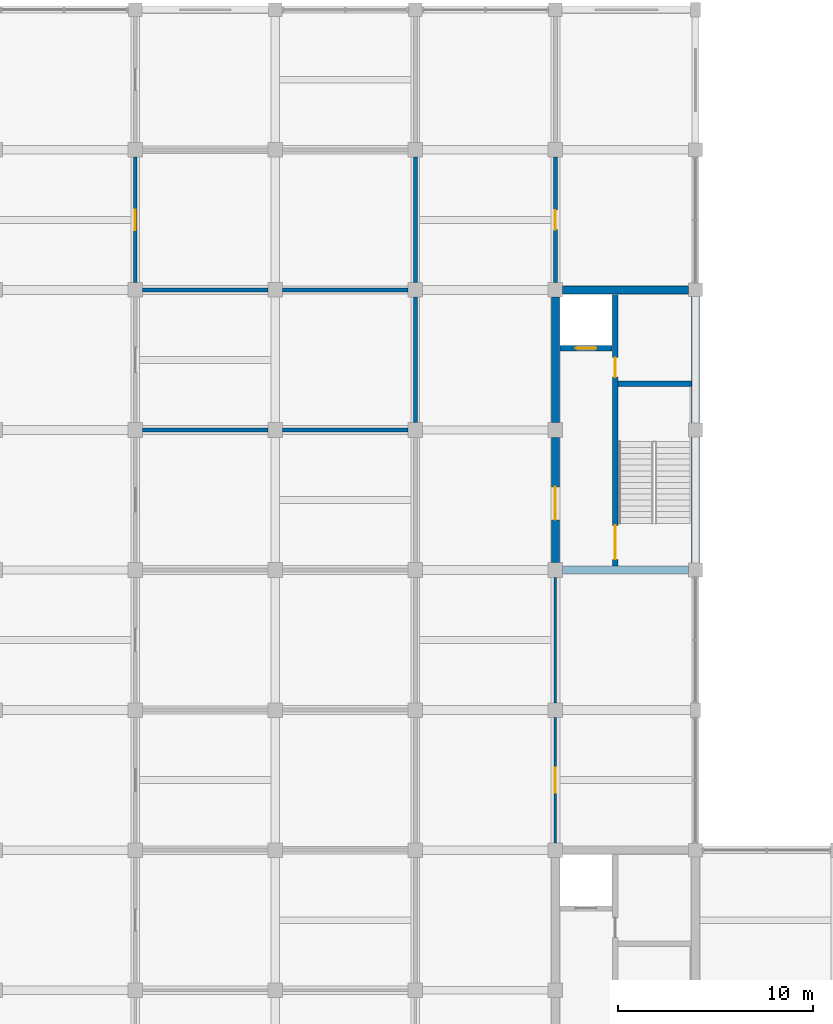
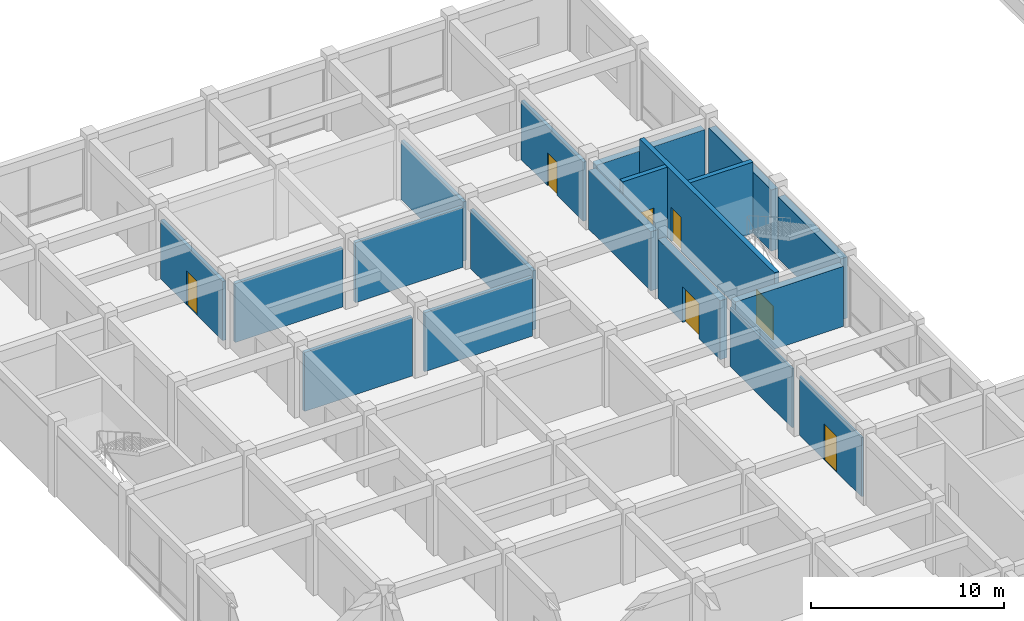
# One storey, part 22 of 30: 19 walls, 7 doors, 7 openings.
"""IFC4 building model written with IfcOpenShell, lengths in metres."""

import ifcopenshell
import ifcopenshell.guid

model = None  # the IFC model being written
_history = None  # IfcOwnerHistory: only IFC2X3 demands one
_inside = {}  # id of a spatial element -> (the spatial element, [elements in it])
_under = {}  # id of a project, library or spatial element -> (it, [spatial elements below it])
_declared = {}  # id of a project -> (the project, [libraries it declares])
_typed = {}  # id of a type object -> (the type object, [elements of that type])
_made_of = {}  # id of a material, layer set ... -> (it, [elements and type objects made of it])


def new_model(schema):
    """Start an empty IFC model of exactly this schema.

    Asked for "IFC4X3", IfcOpenShell would pick the latest addendum, in which some entities
    have other attributes; the version numbers below select the first issue.
    IFC2X3 requires an IfcOwnerHistory on every rooted entity: one is made here for all.
    """
    global model, _history
    if schema == "IFC4X3":
        model = ifcopenshell.file(schema_version=(4, 3, 0, 0))
    else:
        model = ifcopenshell.file(schema=schema)
    _inside.clear()
    _under.clear()
    _declared.clear()
    _typed.clear()
    _made_of.clear()
    _history = None
    if model.schema == "IFC2X3":
        org = make("IfcOrganization", Name="unknown")
        user = make(
            "IfcPersonAndOrganization",
            ThePerson=make("IfcPerson", FamilyName="unknown"),
            TheOrganization=org,
        )
        app = make(
            "IfcApplication",
            ApplicationDeveloper=org,
            Version="unknown",
            ApplicationFullName="unknown",
            ApplicationIdentifier="unknown",
        )
        _history = make(
            "IfcOwnerHistory",
            OwningUser=user,
            OwningApplication=app,
            ChangeAction="ADDED",
            CreationDate=0,
        )
    return model


def make(cls, **values):
    """One entity of the class cls with the attributes given. An attribute that is None is left unset."""
    return model.create_entity(
        cls, **{name: value for name, value in values.items() if value is not None}
    )


def rooted(cls, **values):
    """An entity with a GlobalId (a new one), such as an element, a storey or a relation."""
    return make(cls, GlobalId=ifcopenshell.guid.new(), OwnerHistory=_history, **values)


def si_unit(unit_type, name, prefix=None):
    """IfcSIUnit, for example si_unit("LENGTHUNIT", "METRE", prefix="MILLI")."""
    return make("IfcSIUnit", UnitType=unit_type, Prefix=prefix, Name=name)


def assignment(units):
    """IfcUnitAssignment: the units of a project."""
    return None if units is None else make("IfcUnitAssignment", Units=units)


def point(xyz):
    """IfcCartesianPoint."""
    return None if xyz is None else make("IfcCartesianPoint", Coordinates=xyz)


def direction(xyz):
    """IfcDirection."""
    return None if xyz is None else make("IfcDirection", DirectionRatios=xyz)


def frame(location, z_axis=None, x_axis=None):
    """IfcAxis2Placement3D, a coordinate frame: its origin and axes. An axis left out is left unset."""
    return make(
        "IfcAxis2Placement3D",
        Location=point(location),
        Axis=direction(z_axis),
        RefDirection=direction(x_axis),
    )


def frame_2d(location, x_axis=None):
    """IfcAxis2Placement2D, a coordinate frame in the plane: its origin and x axis."""
    return make(
        "IfcAxis2Placement2D", Location=point(location), RefDirection=direction(x_axis)
    )


def origin():
    """The frame at (0, 0, 0) with its axes left unset."""
    return frame((0.0, 0.0, 0.0))


def place(relative_to, where):
    """IfcLocalPlacement: puts the frame where relative to a parent placement (None: the world)."""
    return make(
        "IfcLocalPlacement", PlacementRelTo=relative_to, RelativePlacement=where
    )


def context(
    kind, dimensions, precision=None, world=None, true_north=None, identifier=None
):
    """IfcGeometricRepresentationContext, for example the 3D "Model" context."""
    return make(
        "IfcGeometricRepresentationContext",
        ContextIdentifier=identifier,
        ContextType=kind,
        CoordinateSpaceDimension=dimensions,
        Precision=precision,
        WorldCoordinateSystem=world,
        TrueNorth=true_north,
    )


def subcontext(parent, identifier, kind, view, scale=None):
    """IfcGeometricRepresentationSubContext, for example "Body" below "Model"."""
    return make(
        "IfcGeometricRepresentationSubContext",
        ContextIdentifier=identifier,
        ContextType=kind,
        ParentContext=parent,
        TargetScale=scale,
        TargetView=view,
    )


def project(units=None, contexts=None):
    """IfcProject with its units and contexts."""
    return rooted(
        "IfcProject",
        Name="project",
        RepresentationContexts=contexts,
        UnitsInContext=assignment(units),
    )


def spatial(cls, under=None, at=None, **own):
    """A site, building, storey or space (cls), placed at a placement, below another one or the project."""
    s = rooted(cls, ObjectPlacement=at, **own)
    if under is not None:
        _under.setdefault(under.id(), (under, []))[1].append(s)
    return s


def profile(cls, at=None, kind="AREA", **sizes):
    """A parametric profile (cls). Its sizes go by their IFC names, for example OverallWidth=200.0."""
    return make(cls, ProfileType=kind, Position=at, **sizes)


def rectangle(**sizes):
    """IfcRectangleProfileDef."""
    return profile("IfcRectangleProfileDef", **sizes)


def extrude(swept, where, along, depth):
    """IfcExtrudedAreaSolid: the profile swept, set in the frame where, extruded along a direction by depth."""
    return make(
        "IfcExtrudedAreaSolid",
        SweptArea=swept,
        Position=where,
        ExtrudedDirection=direction(along),
        Depth=depth,
    )


def shape(context_of_items, identifier, shape_type, items):
    """IfcShapeRepresentation: the items that make up one representation, for example the "Body"."""
    return make(
        "IfcShapeRepresentation",
        ContextOfItems=context_of_items,
        RepresentationIdentifier=identifier,
        RepresentationType=shape_type,
        Items=items,
    )


def material(Name=None, Category=None):
    """IfcMaterial."""
    return make("IfcMaterial", Name=Name, Category=Category)


def layer(
    of_material, thickness, ventilated=None, Name=None, Category=None, Priority=None
):
    """IfcMaterialLayer: one layer of a wall or slab, of a material (None: an air gap)."""
    return make(
        "IfcMaterialLayer",
        Material=of_material,
        LayerThickness=thickness,
        IsVentilated=ventilated,
        Name=Name,
        Category=Category,
        Priority=Priority,
    )


def layer_set(layers, Name=None):
    """IfcMaterialLayerSet."""
    return make("IfcMaterialLayerSet", MaterialLayers=layers, LayerSetName=Name)


def made_of(thing, what):
    """Note that an element or type object is made of a material, layer set ...; save() writes the relation."""
    if what is not None:
        _made_of.setdefault(what.id(), (what, []))[1].append(thing)
    return thing


def type_object(cls, material=None, **own):
    """A type object (cls), such as IfcWallType, which elements share."""
    return made_of(rooted(cls, **own), material)


def element(
    cls,
    number,
    at=None,
    inside=None,
    cuts=None,
    type_object=None,
    material=None,
    context=None,
    identifier="Body",
    shape_type=None,
    held_by="IfcProductDefinitionShape",
    body=None,
    shapes=None,
    **own,
):
    """One element of the class cls, such as IfcWall. Its Tag is "e" and its number.

    at: its placement. inside: the storey or other place that contains it. cuts: it is an
    opening in that element (IfcRelVoidsElement). A single representation is given by context,
    identifier, shape_type and body (its items); several are given by shapes. held_by: the class
    of the entity that holds the representations. save() writes the other relations.
    """
    e = rooted(cls, Tag="e%d" % number, ObjectPlacement=at, **own)
    if body is not None:
        shapes = [shape(context, identifier, shape_type, body)]
    if shapes is not None:
        e.Representation = make(held_by, Representations=shapes)
    if inside is not None:
        _inside.setdefault(inside.id(), (inside, []))[1].append(e)
    if cuts is not None:
        rooted(
            "IfcRelVoidsElement", RelatingBuildingElement=cuts, RelatedOpeningElement=e
        )
    if type_object is not None:
        _typed.setdefault(type_object.id(), (type_object, []))[1].append(e)
    return made_of(e, material)


def fill(opening, filler):
    """IfcRelFillsElement: the door or window that sits in an opening."""
    return rooted(
        "IfcRelFillsElement",
        RelatingOpeningElement=opening,
        RelatedBuildingElement=filler,
    )


def aggregate(whole, parts):
    """IfcRelAggregates: a whole, such as a stair, and the parts it consists of."""
    return rooted("IfcRelAggregates", RelatingObject=whole, RelatedObjects=parts)


def save(model, path):
    """Write the relations noted so far, then the file.

    IfcRelAggregates (storeys below a building ...), IfcRelContainedInSpatialStructure (elements
    in a storey), IfcRelDefinesByType, IfcRelAssociatesMaterial and IfcRelDeclares: one each for
    every whole, place, type object, material and project.
    """
    for whole, parts in _under.values():
        aggregate(whole, parts)
    for where, things in _inside.values():
        rooted(
            "IfcRelContainedInSpatialStructure",
            RelatedElements=things,
            RelatingStructure=where,
        )
    for kind, things in _typed.values():
        rooted("IfcRelDefinesByType", RelatedObjects=things, RelatingType=kind)
    for what, things in _made_of.values():
        rooted("IfcRelAssociatesMaterial", RelatedObjects=things, RelatingMaterial=what)
    for by, libraries in _declared.values():
        rooted("IfcRelDeclares", RelatingContext=by, RelatedDefinitions=libraries)
    model.write(path)


model = new_model("IFC4")

# Units and contexts
model_context = context("Model", 3, precision=1e-05, world=origin(), true_north=direction((0.0, 1.0)))
body_context = subcontext(model_context, "Body", "Model", "MODEL_VIEW")
ifc_project = project(units=[si_unit("LENGTHUNIT", "METRE"), si_unit("AREAUNIT", "SQUARE_METRE"), si_unit("VOLUMEUNIT", "CUBIC_METRE"), si_unit("PLANEANGLEUNIT", "RADIAN"), si_unit("MASSUNIT", "GRAM", prefix="KILO")], contexts=[model_context])

# Site, building, storey
site_placement = place(None, origin())
site = spatial("IfcSite", under=ifc_project, at=site_placement, CompositionType="ELEMENT")
building_placement = place(site_placement, origin())
building = spatial("IfcBuilding", under=site, at=building_placement, Name="Cendaluz Park School", CompositionType="ELEMENT")
storey_placement = place(building_placement, frame((0.0, 0.0, 9.60009765625)))
storey = spatial("IfcBuildingStorey", under=building, at=storey_placement, Name="L02", CompositionType="ELEMENT", Elevation=9.60009765625)

# Wall
ifc_material_1 = material(Name="Gypsum Plasterboard on Cold-Formed Stud", Category="gypsum")
ifc_layer_1 = layer(ifc_material_1, 0.199951171875)
ifc_layer_set_1 = layer_set([ifc_layer_1], Name="Gypsum Plasterboard on Cold-Formed Stud")
wall_type_1 = type_object("IfcWallType", Name="W-AC20", PredefinedType="PARTITIONING", material=ifc_layer_set_1)
wall_1_placement = place(storey_placement, frame((79.574951171875, 57.60009765625, 0.0), z_axis=(0.0, 0.0, 1.0), x_axis=(1.0, 0.0, 0.0)))
element("IfcWall", 1, at=wall_1_placement, inside=storey, type_object=wall_type_1, Name="WL-FC-BX5", PredefinedType="PARTITIONING", context=body_context, shape_type="SweptSolid", body=[
    extrude(rectangle(XDim=6.449951171875, YDim=0.199951171875, at=frame_2d((3.22509765625, 0.0))), origin(), (0.0, 0.0, 1.0), 3.739990234375),
])

# Wall, opening, door
wall_2_placement = place(storey_placement, frame((79.199951171875, 57.97509765625, 0.0), z_axis=(0.0, 0.0, 1.0), x_axis=(0.0, 1.0, 0.0)))
wall_2 = element("IfcWall", 2, at=wall_2_placement, inside=storey, type_object=wall_type_1, Name="WL-FC-BX7", PredefinedType="PARTITIONING", context=body_context, shape_type="SweptSolid", body=[
    extrude(rectangle(XDim=6.449951171875, YDim=0.199951171875, at=frame_2d((3.22509765625, 0.0))), origin(), (0.0, 0.0, 1.0), 3.739990234375),
])
opening_1_placement = place(wall_2_placement, frame((2.695068359375, 0.0, 0.0)))
opening_1 = element("IfcOpeningElement", 3, at=opening_1_placement, cuts=wall_2, Name="Opening DCL-04", PredefinedType="OPENING", context=body_context, shape_type="SweptSolid", body=[
    extrude(rectangle(XDim=1.06005859375, YDim=2.159912109375, at=frame_2d((0.530029296875, 1.080078125))), frame((0.0, 0.112060546875, 0.0), z_axis=(0.0, -1.0, 0.0), x_axis=(1.0, 0.0, 0.0)), (0.0, 0.0, 1.0), 0.223876953125),
])
ifc_material_2 = material(Name="Solid Core Hardwood", Category="wood")
door_type_1 = type_object("IfcDoorType", Name="DCL-04", OperationType="NOTDEFINED", PredefinedType="DOOR", material=ifc_material_2)
door_1_placement = place(opening_1_placement, frame((1.06005859375, 0.0, 0.0), z_axis=(0.0, 0.0, 1.0), x_axis=(-1.0, 0.0, 0.0)))
door_1 = element("IfcDoor", 4, at=door_1_placement, inside=storey, type_object=door_type_1, Name="D-L02-027", OperationType="SINGLE_SWING_LEFT", OverallHeight=2.159912109375, OverallWidth=1.06005859375, PredefinedType="DOOR", context=body_context, shape_type="SweptSolid", body=[
    extrude(rectangle(XDim=1.06005859375, YDim=2.159912109375, at=frame_2d((0.530029296875, 1.080078125))), frame((0.0, 0.02490234375, 0.0), z_axis=(0.0, -1.0, 0.0), x_axis=(1.0, 0.0, 0.0)), (0.0, 0.0, 1.0), 0.050048828125),
])
fill(opening_1, door_1)

# Walls
wall_3_placement = place(storey_placement, frame((86.77490234375, 57.60009765625, 0.0), z_axis=(0.0, 0.0, 1.0), x_axis=(1.0, 0.0, 0.0)))
element("IfcWall", 5, at=wall_3_placement, inside=storey, type_object=wall_type_1, Name="WL-FC-BX8", PredefinedType="PARTITIONING", context=body_context, shape_type="SweptSolid", body=[
    extrude(rectangle(XDim=6.4501953125, YDim=0.199951171875, at=frame_2d((3.22509765625, 0.0))), origin(), (0.0, 0.0, 1.0), 3.809814453125),
])
for number, where, z_axis, x_axis, name in (
    (6, (93.60009765625, 57.97509765625, 0.0), (0.0, 0.0, 1.0), (0.0, 1.0, 0.0), "WL-FC-BY0"),
    (7, (79.574951171875, 50.39990234375, 0.0), (0.0, 0.0, 1.0), (1.0, 0.0, 0.0), "WL-FC-CE5"),
):
    element("IfcWall", number, at=place(storey_placement, frame(where, z_axis=z_axis, x_axis=x_axis)), inside=storey, type_object=wall_type_1, Name=name, PredefinedType="PARTITIONING", context=body_context, shape_type="SweptSolid", body=[
        extrude(rectangle(XDim=6.449951171875, YDim=0.199951171875, at=frame_2d((3.22509765625, 0.0))), origin(), (0.0, 0.0, 1.0), 3.739990234375),
    ])
for number, where, z_axis, x_axis, name in (
    (8, (86.77490234375, 50.39990234375, 0.0), (0.0, 0.0, 1.0), (1.0, 0.0, 0.0), "WL-FC-CE7"),
    (9, (93.60009765625, 50.77490234375, 0.0), (0.0, 0.0, 1.0), (0.0, 1.0, 0.0), "WL-FC-CF0"),
):
    element("IfcWall", number, at=place(storey_placement, frame(where, z_axis=z_axis, x_axis=x_axis)), inside=storey, type_object=wall_type_1, Name=name, PredefinedType="PARTITIONING", context=body_context, shape_type="SweptSolid", body=[
        extrude(rectangle(XDim=6.4501953125, YDim=0.199951171875, at=frame_2d((3.22509765625, 0.0))), origin(), (0.0, 0.0, 1.0), 3.739990234375),
    ])

# Wall, opening, door
wall_4_placement = place(storey_placement, frame((100.800048828125, 57.97509765625, 0.0), z_axis=(0.0, 0.0, 1.0), x_axis=(0.0, 1.0, 0.0)))
wall_4 = element("IfcWall", 10, at=wall_4_placement, inside=storey, type_object=wall_type_1, Name="WL-FC-CF3", PredefinedType="PARTITIONING", context=body_context, shape_type="SweptSolid", body=[
    extrude(rectangle(XDim=6.449951171875, YDim=0.199951171875, at=frame_2d((3.22509765625, 0.0))), origin(), (0.0, 0.0, 1.0), 3.739990234375),
])
opening_2_placement = place(wall_4_placement, frame((2.72509765625, 0.0, 0.0)))
opening_2 = element("IfcOpeningElement", 11, at=opening_2_placement, cuts=wall_4, Name="Opening DCL-01", PredefinedType="OPENING", context=body_context, shape_type="SweptSolid", body=[
    extrude(rectangle(XDim=1.0, YDim=2.10009765625, at=frame_2d((0.5, 1.050048828125))), frame((0.0, 0.112060546875, 0.0), z_axis=(0.0, -1.0, 0.0), x_axis=(1.0, 0.0, 0.0)), (0.0, 0.0, 1.0), 0.223876953125),
])
door_type_2 = type_object("IfcDoorType", Name="DCL-01", OperationType="NOTDEFINED", PredefinedType="DOOR", material=ifc_material_2)
door_2_placement = place(opening_2_placement, frame((1.0, 0.0, 0.0), z_axis=(0.0, 0.0, 1.0), x_axis=(-1.0, 0.0, 0.0)))
door_2 = element("IfcDoor", 12, at=door_2_placement, inside=storey, type_object=door_type_2, Name="D-L02-054", OperationType="SINGLE_SWING_RIGHT", OverallHeight=2.10009765625, OverallWidth=1.0, PredefinedType="DOOR", context=body_context, shape_type="SweptSolid", body=[
    extrude(rectangle(XDim=1.0, YDim=2.10009765625, at=frame_2d((0.5, 1.050048828125))), frame((0.0, 0.02490234375, 0.0), z_axis=(0.0, -1.0, 0.0), x_axis=(1.0, 0.0, 0.0)), (0.0, 0.0, 1.0), 0.050048828125),
])
fill(opening_2, door_2)

# Wall, openings, doors
ifc_material_3 = material(Name="Concrete C40/50", Category="concrete")
ifc_layer_2 = layer(ifc_material_3, 0.280029296875)
ifc_layer_set_2 = layer_set([ifc_layer_2], Name="Concrete C40/50")
wall_type_2 = type_object("IfcWallType", Name="W-FW28", PredefinedType="SHEAR", material=ifc_layer_set_2)
wall_5_placement = place(storey_placement, frame((103.8798828125, 43.39990234375, 0.0), z_axis=(0.0, 0.0, 1.0), x_axis=(0.0, 1.0, 0.0)))
wall_5 = element("IfcWall", 13, at=wall_5_placement, inside=storey, type_object=wall_type_2, Name="WL-FC-BV4", PredefinedType="SHEAR", context=body_context, shape_type="SweptSolid", body=[
    extrude(rectangle(XDim=14.0, YDim=0.280029296875, at=frame_2d((7.0, 0.0))), origin(), (0.0, 0.0, 1.0), 4.510009765625),
])
opening_3_placement = place(wall_5_placement, frame((0.35009765625, 0.0, 0.0)))
opening_3 = element("IfcOpeningElement", 14, at=opening_3_placement, cuts=wall_5, Name="Opening DST-03", PredefinedType="OPENING", context=body_context, shape_type="SweptSolid", body=[
    extrude(rectangle(XDim=1.75, YDim=2.14990234375, at=frame_2d((0.875, 1.074951171875))), frame((0.0, 0.152099609375, 0.0), z_axis=(0.0, -1.0, 0.0), x_axis=(1.0, 0.0, 0.0)), (0.0, 0.0, 1.0), 0.303955078125),
])
opening_4_placement = place(wall_5_placement, frame((9.719970703125, 0.0, 0.0)))
opening_4 = element("IfcOpeningElement", 15, at=opening_4_placement, cuts=wall_5, Name="Opening DFC-01", PredefinedType="OPENING", context=body_context, shape_type="SweptSolid", body=[
    extrude(rectangle(XDim=1.0, YDim=2.14990234375, at=frame_2d((0.5, 1.074951171875))), frame((0.0, 0.152099609375, 0.0), z_axis=(0.0, -1.0, 0.0), x_axis=(1.0, 0.0, 0.0)), (0.0, 0.0, 1.0), 0.303955078125),
])
door_type_3 = type_object("IfcDoorType", Name="DFC-01", OperationType="NOTDEFINED", PredefinedType="DOOR", material=ifc_material_2)
door_3_placement = place(opening_4_placement, frame((1.0, 0.0, 0.0), z_axis=(0.0, 0.0, 1.0), x_axis=(-1.0, 0.0, 0.0)))
door_3 = element("IfcDoor", 16, at=door_3_placement, inside=storey, type_object=door_type_3, Name="D-L02-017", OperationType="SINGLE_SWING_RIGHT", OverallHeight=2.14990234375, OverallWidth=1.0, PredefinedType="DOOR", context=body_context, shape_type="SweptSolid", body=[
    extrude(rectangle(XDim=1.0, YDim=2.14990234375, at=frame_2d((0.5, 1.074951171875))), frame((0.0, 0.02490234375, 0.0), z_axis=(0.0, -1.0, 0.0), x_axis=(1.0, 0.0, 0.0)), (0.0, 0.0, 1.0), 0.050048828125),
])
fill(opening_4, door_3)
door_type_4 = type_object("IfcDoorType", Name="DST-03", OperationType="DOUBLE_DOOR_SINGLE_SWING", PredefinedType="DOOR", material=ifc_material_2)
door_4_placement = place(opening_3_placement, frame((1.75, 0.0, 0.0), z_axis=(0.0, 0.0, 1.0), x_axis=(-1.0, 0.0, 0.0)))
door_4 = element("IfcDoor", 17, at=door_4_placement, inside=storey, type_object=door_type_4, Name="D-L02-016", OperationType="DOUBLE_DOOR_SINGLE_SWING", OverallHeight=2.14990234375, OverallWidth=1.75, PredefinedType="DOOR", context=body_context, shape_type="SweptSolid", body=[
    extrude(rectangle(XDim=1.75, YDim=2.14990234375, at=frame_2d((0.875, 1.074951171875))), frame((0.0, 0.02490234375, 0.0), z_axis=(0.0, -1.0, 0.0), x_axis=(1.0, 0.0, 0.0)), (0.0, 0.0, 1.0), 0.050048828125),
])
fill(opening_3, door_4)

# Wall
wall_6_placement = place(storey_placement, frame((104.02001953125, 52.780029296875, 0.0), z_axis=(0.0, 0.0, 1.0), x_axis=(1.0, 0.0, 0.0)))
element("IfcWall", 18, at=wall_6_placement, inside=storey, type_object=wall_type_2, Name="WL-FC-BV5", PredefinedType="SHEAR", context=body_context, shape_type="SweptSolid", body=[
    extrude(rectangle(XDim=3.780029296875, YDim=0.280029296875, at=frame_2d((1.89013671875, 0.0))), origin(), (0.0, 0.0, 1.0), 4.510009765625),
])

# Wall, opening, door
wall_7_placement = place(storey_placement, frame((101.0400390625, 54.60009765625, 0.0), z_axis=(0.0, 0.0, 1.0), x_axis=(1.0, 0.0, 0.0)))
wall_7 = element("IfcWall", 19, at=wall_7_placement, inside=storey, type_object=wall_type_2, Name="WL-FC-BV6", PredefinedType="SHEAR", context=body_context, shape_type="SweptSolid", body=[
    extrude(rectangle(XDim=2.679931640625, YDim=0.280029296875, at=frame_2d((1.33984375, 0.0))), origin(), (0.0, 0.0, 1.0), 4.510009765625),
])
opening_5_placement = place(wall_7_placement, frame((0.81494140625, 0.0, 0.0)))
opening_5 = element("IfcOpeningElement", 20, at=opening_5_placement, cuts=wall_7, Name="Opening LD-02", PredefinedType="OPENING", context=body_context, shape_type="SweptSolid", body=[
    extrude(rectangle(XDim=1.050048828125, YDim=2.199951171875, at=frame_2d((0.52490234375, 1.10009765625))), frame((0.0, 0.152099609375, 0.0), z_axis=(0.0, -1.0, 0.0), x_axis=(1.0, 0.0, 0.0)), (0.0, 0.0, 1.0), 0.303955078125),
])
ifc_material_4 = material(Name="Stainless Steel 316L", Category="steel")
door_type_5 = type_object("IfcDoorType", Name="LD-02", OperationType="DOUBLE_DOOR_SLIDING", PredefinedType="DOOR", material=ifc_material_4)
door_5_placement = place(opening_5_placement, frame((1.050048828125, 0.0, 0.0), z_axis=(0.0, 0.0, 1.0), x_axis=(-1.0, 0.0, 0.0)))
door_5 = element("IfcDoor", 21, at=door_5_placement, inside=storey, type_object=door_type_5, Name="D-L02-018", OperationType="DOUBLE_DOOR_SLIDING", OverallHeight=2.199951171875, OverallWidth=1.050048828125, PredefinedType="DOOR", context=body_context, shape_type="SweptSolid", body=[
    extrude(rectangle(XDim=1.050048828125, YDim=2.199951171875, at=frame_2d((0.52490234375, 1.10009765625))), frame((0.0, 0.02490234375, 0.0), z_axis=(0.0, -1.0, 0.0), x_axis=(1.0, 0.0, 0.0)), (0.0, 0.0, 1.0), 0.050048828125),
])
fill(opening_5, door_5)

ifc_layer_3 = layer(ifc_material_1, 0.1201171875)
ifc_layer_set_3 = layer_set([ifc_layer_3], Name="Gypsum Plasterboard on Cold-Formed Stud")
wall_type_3 = type_object("IfcWallType", Name="W-MV12", PredefinedType="MOVABLE", material=ifc_layer_set_3)
wall_8_placement = place(storey_placement, frame((100.800048828125, 29.175048828125, 0.0), z_axis=(0.0, 0.0, 1.0), x_axis=(0.0, 1.0, 0.0)))
wall_8 = element("IfcWall", 22, at=wall_8_placement, inside=storey, type_object=wall_type_3, Name="WL-FC-CF1", PredefinedType="MOVABLE", context=body_context, shape_type="SweptSolid", body=[
    extrude(rectangle(XDim=6.449951171875, YDim=0.1201171875, at=frame_2d((3.22509765625, 0.0))), origin(), (0.0, 0.0, 1.0), 3.739990234375),
])
opening_6_placement = place(wall_8_placement, frame((2.5849609375, 0.0, 0.0)))
opening_6 = element("IfcOpeningElement", 23, at=opening_6_placement, cuts=wall_8, Name="Opening DCL-10", PredefinedType="OPENING", context=body_context, shape_type="SweptSolid", body=[
    extrude(rectangle(XDim=1.280029296875, YDim=2.280029296875, at=frame_2d((0.64013671875, 1.14013671875))), frame((0.0, 0.072021484375, 0.0), z_axis=(0.0, -1.0, 0.0), x_axis=(1.0, 0.0, 0.0)), (0.0, 0.0, 1.0), 0.14404296875),
])
door_type_6 = type_object("IfcDoorType", Name="DCL-10", OperationType="NOTDEFINED", PredefinedType="DOOR", material=ifc_material_2)
door_6_placement = place(opening_6_placement, frame((1.280029296875, 0.0, 0.0), z_axis=(0.0, 0.0, 1.0), x_axis=(-1.0, 0.0, 0.0)))
door_6 = element("IfcDoor", 24, at=door_6_placement, inside=storey, type_object=door_type_6, Name="D-L02-053", OperationType="SINGLE_SWING_LEFT", OverallHeight=2.280029296875, OverallWidth=1.280029296875, PredefinedType="DOOR", context=body_context, shape_type="SweptSolid", body=[
    extrude(rectangle(XDim=1.280029296875, YDim=2.280029296875, at=frame_2d((0.64013671875, 1.14013671875))), frame((0.0, 0.02490234375, 0.0), z_axis=(0.0, -1.0, 0.0), x_axis=(1.0, 0.0, 0.0)), (0.0, 0.0, 1.0), 0.050048828125),
])
fill(opening_6, door_6)

# Wall
wall_9_placement = place(storey_placement, frame((100.800048828125, 36.375, 0.0), z_axis=(0.0, 0.0, 1.0), x_axis=(0.0, 1.0, 0.0)))
element("IfcWall", 25, at=wall_9_placement, inside=storey, type_object=wall_type_3, Name="WL-FC-CF2", PredefinedType="MOVABLE", context=body_context, shape_type="SweptSolid", body=[
    extrude(rectangle(XDim=6.449951171875, YDim=0.1201171875, at=frame_2d((3.22509765625, 0.0))), origin(), (0.0, 0.0, 1.0), 3.739990234375),
])

# Wall, opening, door
ifc_layer_4 = layer(ifc_material_3, 0.419921875)
ifc_layer_set_4 = layer_set([ifc_layer_4], Name="Concrete C40/50")
wall_type_4 = type_object("IfcWallType", Name="W-SH42", PredefinedType="SHEAR", material=ifc_layer_set_4)
wall_10_placement = place(storey_placement, frame((100.800048828125, 43.574951171875, 0.0), z_axis=(0.0, 0.0, 1.0), x_axis=(0.0, 1.0, 0.0)))
wall_10 = element("IfcWall", 26, at=wall_10_placement, inside=storey, type_object=wall_type_4, Name="WL-FC-BU8", PredefinedType="SHEAR", context=body_context, shape_type="SweptSolid", body=[
    extrude(rectangle(XDim=6.449951171875, YDim=0.419921875, at=frame_2d((3.22509765625, 0.0))), origin(), (0.0, 0.0, 1.0), 3.739990234375),
])
opening_7_placement = place(wall_10_placement, frame((2.199951171875, 0.0, 0.0)))
opening_7 = element("IfcOpeningElement", 27, at=opening_7_placement, cuts=wall_10, Name="Opening DLB-02", PredefinedType="OPENING", context=body_context, shape_type="SweptSolid", body=[
    extrude(rectangle(XDim=1.699951171875, YDim=2.25, at=frame_2d((0.85009765625, 1.125))), frame((0.0, 0.221923828125, 0.0), z_axis=(0.0, -1.0, 0.0), x_axis=(1.0, 0.0, 0.0)), (0.0, 0.0, 1.0), 0.44384765625),
])
door_type_7 = type_object("IfcDoorType", Name="DLB-02", OperationType="DOUBLE_DOOR_SINGLE_SWING", PredefinedType="DOOR", material=ifc_material_2)
door_7_placement = place(opening_7_placement, frame((1.699951171875, 0.0, 0.0), z_axis=(0.0, 0.0, 1.0), x_axis=(-1.0, 0.0, 0.0)))
door_7 = element("IfcDoor", 28, at=door_7_placement, inside=storey, type_object=door_type_7, Name="D-L02-015", OperationType="DOUBLE_DOOR_SINGLE_SWING", OverallHeight=2.25, OverallWidth=1.699951171875, PredefinedType="DOOR", context=body_context, shape_type="SweptSolid", body=[
    extrude(rectangle(XDim=1.699951171875, YDim=2.25, at=frame_2d((0.85009765625, 1.125))), frame((0.0, 0.02490234375, 0.0), z_axis=(0.0, -1.0, 0.0), x_axis=(1.0, 0.0, 0.0)), (0.0, 0.0, 1.0), 0.050048828125),
])
fill(opening_7, door_7)

# Walls
wall_11_placement = place(storey_placement, frame((100.800048828125, 50.77490234375, 0.0), z_axis=(0.0, 0.0, 1.0), x_axis=(0.0, 1.0, 0.0)))
element("IfcWall", 29, at=wall_11_placement, inside=storey, type_object=wall_type_4, Name="WL-FC-BU9", PredefinedType="SHEAR", context=body_context, shape_type="SweptSolid", body=[
    extrude(rectangle(XDim=6.4501953125, YDim=0.419921875, at=frame_2d((3.22509765625, 0.0))), origin(), (0.0, 0.0, 1.0), 3.739990234375),
])
for number, where, z_axis, x_axis, name in (
    (30, (108.0, 43.550048828125, 0.0), (0.0, 0.0, 1.0), (0.0, 1.0, 0.0), "WL-FC-BV0"),
    (31, (108.0, 50.75, 0.0), (0.0, 0.0, 1.0), (0.0, 1.0, 0.0), "WL-FC-BV1"),
):
    element("IfcWall", number, at=place(storey_placement, frame(where, z_axis=z_axis, x_axis=x_axis)), inside=storey, type_object=wall_type_4, Name=name, PredefinedType="SHEAR", context=body_context, shape_type="SweptSolid", body=[
        extrude(rectangle(XDim=6.5, YDim=0.419921875, at=frame_2d((3.25, 0.0))), origin(), (0.0, 0.0, 1.0), 3.8798828125),
    ])
wall_12_placement = place(storey_placement, frame((101.175048828125, 43.199951171875, 0.0), z_axis=(0.0, 0.0, 1.0), x_axis=(1.0, 0.0, 0.0)))
element("IfcWall", 32, at=wall_12_placement, inside=storey, type_object=wall_type_4, Name="WL-FC-BV2", PredefinedType="SHEAR", context=body_context, shape_type="SweptSolid", body=[
    extrude(rectangle(XDim=6.474853515625, YDim=0.419921875, at=frame_2d((3.2373046875, 0.0))), origin(), (0.0, 0.0, 1.0), 3.809814453125),
])
wall_13_placement = place(storey_placement, frame((101.175048828125, 57.60009765625, 0.0), z_axis=(0.0, 0.0, 1.0), x_axis=(1.0, 0.0, 0.0)))
element("IfcWall", 33, at=wall_13_placement, inside=storey, type_object=wall_type_4, Name="WL-FC-BV3", PredefinedType="SHEAR", context=body_context, shape_type="SweptSolid", body=[
    extrude(rectangle(XDim=6.474853515625, YDim=0.419921875, at=frame_2d((3.2373046875, 0.0))), origin(), (0.0, 0.0, 1.0), 3.739990234375),
])

save(model, "model.ifc")
